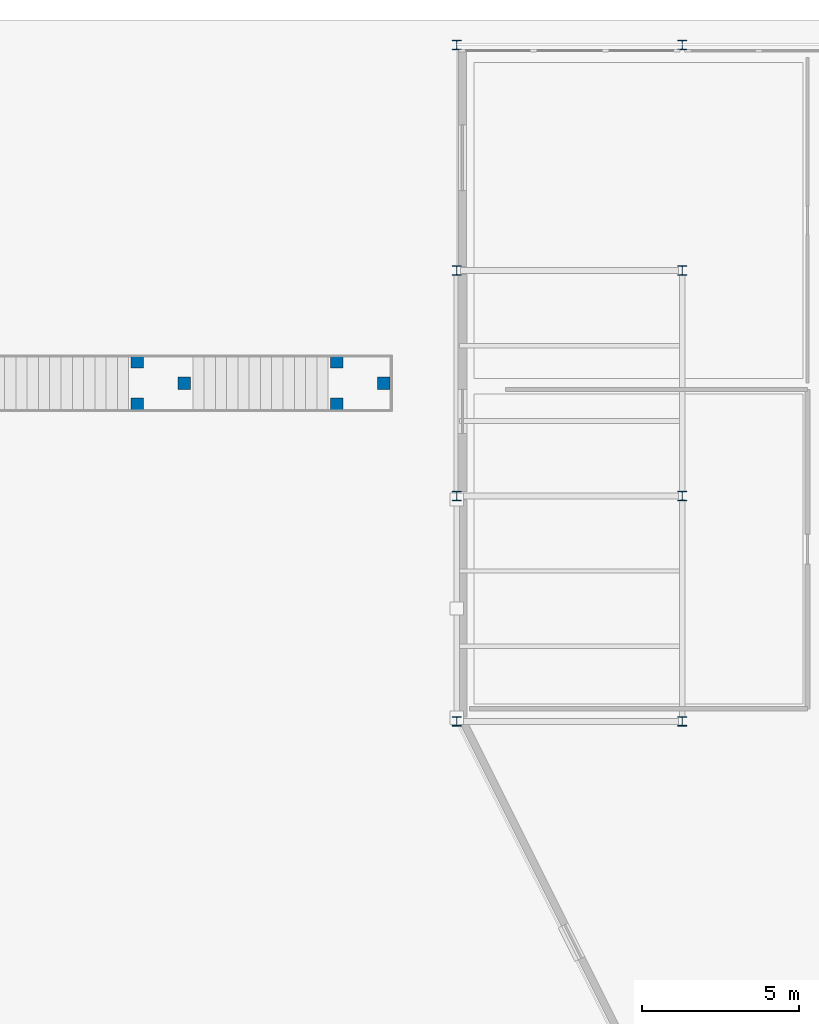
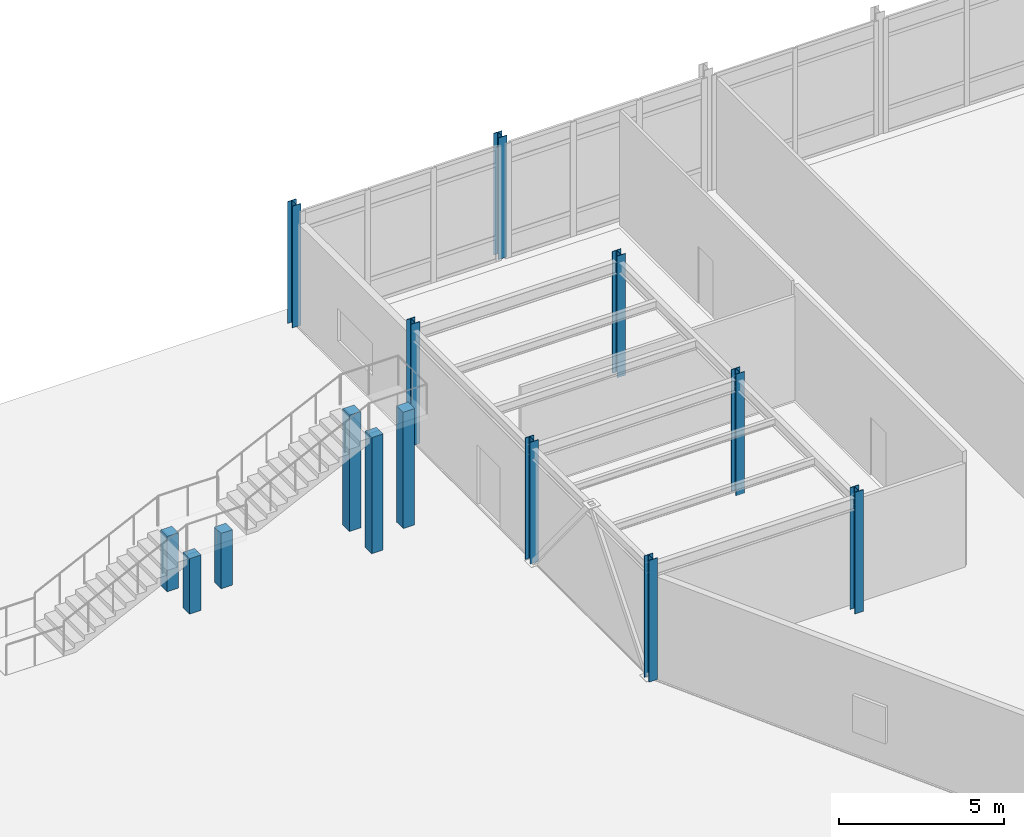
# One storey, part 3 of 58: 14 columns.
"""IFC4 building model written with IfcOpenShell, lengths in metres."""

from ifc_helpers import new_model, si_unit, direction, frame, origin, origin_2d, place, context, subcontext, project, spatial, rectangle, i_section, extrude, material, material_profile, profile_set, type_object, element, save


model = new_model("IFC4")

# Units and contexts
model_context = context("Model", 3, precision=1e-05, world=origin(), true_north=direction((0.0, 1.0)))
body_context = subcontext(model_context, "Body", "Model", "MODEL_VIEW")
ifc_project = project(units=[si_unit("LENGTHUNIT", "METRE"), si_unit("AREAUNIT", "SQUARE_METRE"), si_unit("VOLUMEUNIT", "CUBIC_METRE"), si_unit("PLANEANGLEUNIT", "RADIAN"), si_unit("MASSUNIT", "GRAM", prefix="KILO")], contexts=[model_context])

# Site, building, storey
site_placement = place(None, origin())
site = spatial("IfcSite", under=ifc_project, at=site_placement, CompositionType="ELEMENT")
building_placement = place(site_placement, origin())
building = spatial("IfcBuilding", under=site, at=building_placement, Name="Brisavento Harbour Community Centre", CompositionType="ELEMENT")
storey_placement = place(building_placement, origin())
storey = spatial("IfcBuildingStorey", under=building, at=storey_placement, Name="L00", CompositionType="ELEMENT", Elevation=0.0)

# Columns
ifc_material_1 = material(Name="Concrete C35/45", Category="concrete")
ifc_material_profile_1 = material_profile(ifc_material_1, rectangle(XDim=0.39990234375, YDim=0.39990234375, at=origin_2d()), Name="Concrete C35/45")
ifc_profile_set_1 = profile_set([ifc_material_profile_1], Name="Concrete C35/45")
column_type_1 = type_object("IfcColumnType", Name="COL-RC-400", PredefinedType="COLUMN", material=ifc_profile_set_1)
for number, where, z_axis, x_axis, name in (
    (1, (105.0, 103.719970703125, 0.0), (0.0, 0.0, 1.0), (1.0, 0.0, 0.0), "MST-06 MID support column 1 L00"),
    (2, (105.0, 105.080078125, 0.0), (0.0, 0.0, 1.0), (1.0, 0.0, 0.0), "MST-06 MID support column 2 L00"),
    (3, (106.489990234375, 104.39990234375, 0.0), (0.0, 0.0, 1.0), (1.0, 0.0, 0.0), "MST-06 MID support column 3 L00"),
):
    element("IfcColumn", number, at=place(storey_placement, frame(where, z_axis=z_axis, x_axis=x_axis)), inside=storey, type_object=column_type_1, Name=name, PredefinedType="COLUMN", context=body_context, shape_type="SweptSolid", body=[
        extrude(rectangle(XDim=0.39990234375, YDim=0.39990234375, at=origin_2d()), origin(), (0.0, 0.0, 1.0), 2.050048828125),
    ])
for number, where, z_axis, x_axis, name in (
    (4, (111.3701171875, 103.719970703125, 0.0), (0.0, 0.0, 1.0), (1.0, 0.0, 0.0), "MST-06 TOP support column 1 L00"),
    (5, (111.3701171875, 105.080078125, 0.0), (0.0, 0.0, 1.0), (1.0, 0.0, 0.0), "MST-06 TOP support column 2 L00"),
    (6, (112.860107421875, 104.39990234375, 0.0), (0.0, 0.0, 1.0), (1.0, 0.0, 0.0), "MST-06 TOP support column 3 L00"),
):
    element("IfcColumn", number, at=place(storey_placement, frame(where, z_axis=z_axis, x_axis=x_axis)), inside=storey, type_object=column_type_1, Name=name, PredefinedType="COLUMN", context=body_context, shape_type="SweptSolid", body=[
        extrude(rectangle(XDim=0.39990234375, YDim=0.39990234375, at=origin_2d()), origin(), (0.0, 0.0, 1.0), 4.300048828125),
    ])
ifc_material_2 = material(Name="Steel S355", Category="steel")
ifc_material_profile_2 = material_profile(ifc_material_2, i_section(OverallWidth=0.300048828125, OverallDepth=0.300048828125, WebThickness=0.010986328125, FlangeThickness=0.01904296875, FilletRadius=0.027099609375, at=origin_2d()), Name="Steel S355")
ifc_profile_set_2 = profile_set([ifc_material_profile_2], Name="Steel S355")
column_type_2 = type_object("IfcColumnType", Name="COL-STL-HEB300", PredefinedType="COLUMN", material=ifc_profile_set_2)
for number, where, z_axis, x_axis, name in (
    (7, (115.199951171875, 93.60009765625, 0.0), (0.0, 0.0, 1.0), (1.0, 0.0, 0.0), "L00 column V4W1-93"),
    (8, (122.39990234375, 93.60009765625, 0.0), (0.0, 0.0, 1.0), (1.0, 0.0, 0.0), "L00 column V4W2-93"),
    (9, (115.199951171875, 100.800048828125, 0.0), (0.0, 0.0, 1.0), (1.0, 0.0, 0.0), "L00 column V4W1-100"),
    (10, (122.39990234375, 100.800048828125, 0.0), (0.0, 0.0, 1.0), (1.0, 0.0, 0.0), "L00 column V4W2-100"),
    (11, (115.199951171875, 108.0, 0.0), (0.0, 0.0, 1.0), (1.0, 0.0, 0.0), "L00 column V4W1-108"),
    (12, (122.39990234375, 108.0, 0.0), (0.0, 0.0, 1.0), (1.0, 0.0, 0.0), "L00 column V4W2-108"),
    (13, (115.199951171875, 115.199951171875, 0.0), (0.0, 0.0, 1.0), (1.0, 0.0, 0.0), "L00 column V4W1-115"),
    (14, (122.39990234375, 115.199951171875, 0.0), (0.0, 0.0, 1.0), (1.0, 0.0, 0.0), "L00 column V4W2-115"),
):
    element("IfcColumn", number, at=place(storey_placement, frame(where, z_axis=z_axis, x_axis=x_axis)), inside=storey, type_object=column_type_2, Name=name, PredefinedType="COLUMN", context=body_context, shape_type="SweptSolid", body=[
        extrude(i_section(OverallWidth=0.300048828125, OverallDepth=0.300048828125, WebThickness=0.010986328125, FlangeThickness=0.01904296875, FilletRadius=0.027099609375, at=origin_2d()), origin(), (0.0, 0.0, 1.0), 4.5),
    ])

save(model, "model.ifc")
